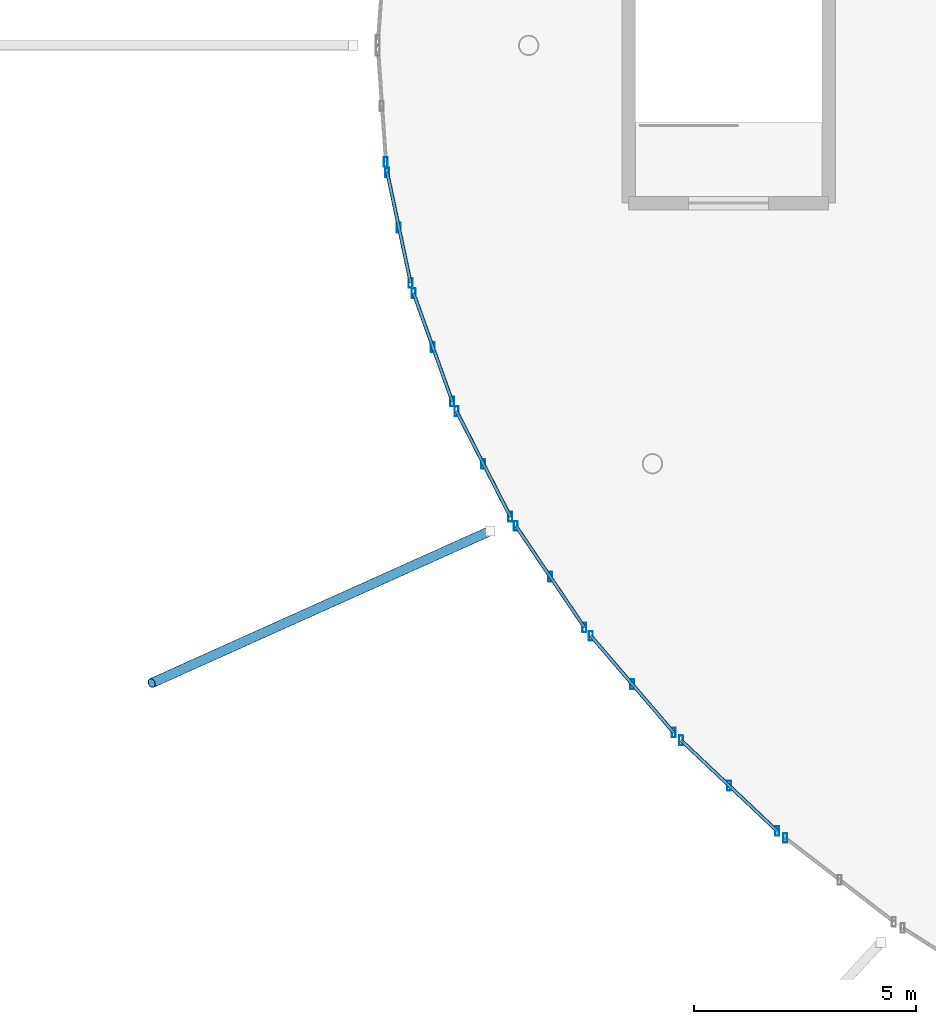
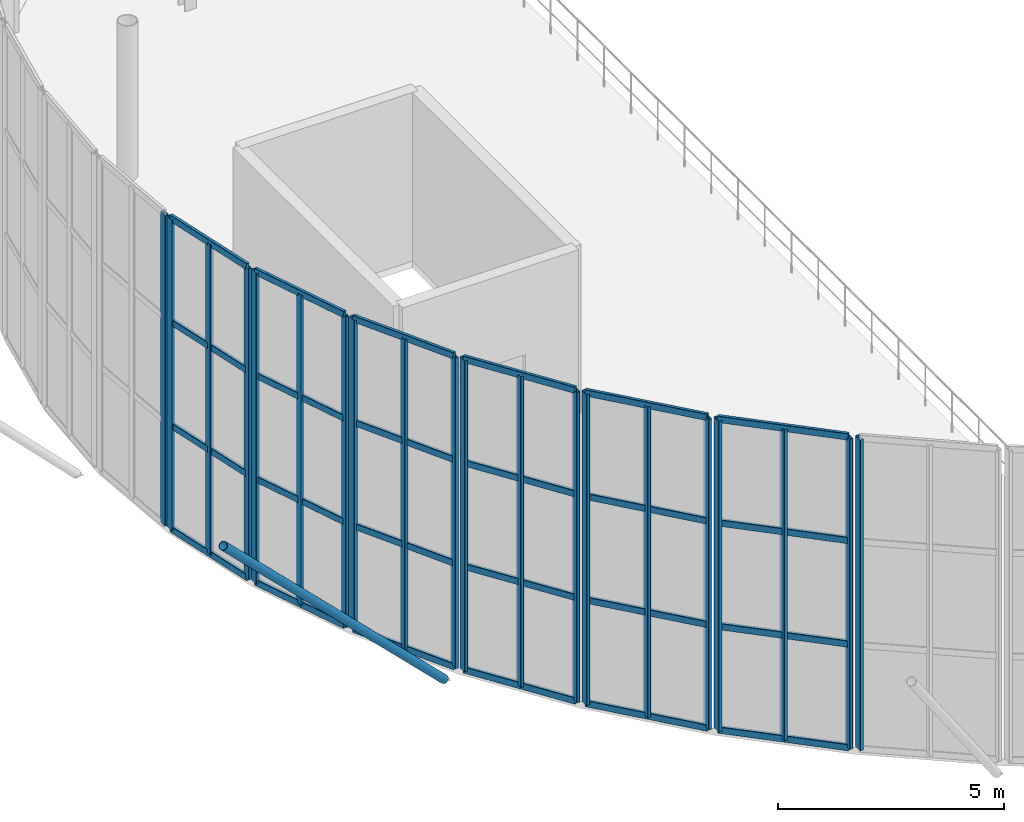
# One storey, part 23 of 109: 45 members, 8 elements without a shape of their own.
"""IFC4 building model written with IfcOpenShell, lengths in metres."""

from ifc_helpers import new_model, si_unit, derived_unit, direction, frame, origin, origin_2d, place, context, subcontext, project, spatial, hollow_rectangle, hollow_circle, extrude, material, material_profile, profile_set, type_object, element, aggregate, save


model = new_model("IFC4")

# Units and contexts
model_context = context("Model", 3, precision=1e-05, world=origin(), true_north=direction((0.0, 1.0)))
body_context = subcontext(model_context, "Body", "Model", "MODEL_VIEW")
ifc_project = project(units=[si_unit("LENGTHUNIT", "METRE"), si_unit("AREAUNIT", "SQUARE_METRE"), si_unit("VOLUMEUNIT", "CUBIC_METRE"), si_unit("PLANEANGLEUNIT", "RADIAN"), si_unit("MASSUNIT", "GRAM", prefix="KILO"), derived_unit("THERMALTRANSMITTANCEUNIT", [(si_unit("MASSUNIT", "GRAM", prefix="KILO"), 1), (si_unit("TIMEUNIT", "SECOND"), -3), (si_unit("THERMODYNAMICTEMPERATUREUNIT", "KELVIN"), -1)])], contexts=[model_context])

# Site, building, storey
site_placement = place(None, origin())
site = spatial("IfcSite", under=ifc_project, at=site_placement, CompositionType="ELEMENT")
building_placement = place(site_placement, origin())
building = spatial("IfcBuilding", under=site, at=building_placement, Name="Kharveza Railside Sports Centre", CompositionType="ELEMENT")
storey_placement = place(building_placement, frame((0.0, 0.0, 4.5)))
storey = spatial("IfcBuildingStorey", under=building, at=storey_placement, Name="L01", CompositionType="ELEMENT", Elevation=4.5)

# Curtain wall, member
ifc_material_1 = material(Name="Low-E solar-control laminated glass", Category="glass")
curtain_wall_type = type_object("IfcCurtainWallType", Name="CW-DR01", PredefinedType="NOTDEFINED", material=ifc_material_1)
curtain_wall_1_placement = place(storey_placement, origin())
curtain_wall_1 = element("IfcCurtainWall", 1, at=curtain_wall_1_placement, inside=storey, type_object=curtain_wall_type, Name="CW-DRUM-33", PredefinedType="NOTDEFINED")
ifc_material_2 = material(Name="Anodised aluminium 6063-T6", Category="aluminium")
ifc_material_profile_1 = material_profile(ifc_material_2, hollow_rectangle(XDim=0.090087890625, YDim=0.219970703125, WallThickness=0.008056640625, InnerFilletRadius=0.008056640625, OuterFilletRadius=0.01611328125, at=origin_2d()), Name="RHS 90x220x8.0")
ifc_profile_set_1 = profile_set([ifc_material_profile_1], Name="Anodised aluminium 6063-T6")
member_type_1 = type_object("IfcMemberType", Name="CW-ML01", PredefinedType="MULLION", material=ifc_profile_set_1)
member_1_placement = place(storey_placement, frame((14.7841796875, 47.775146484375, 0.0), z_axis=(0.0, 0.0, 1.0), x_axis=(1.0, 0.0, 0.0)))
member_1 = element("IfcMember", 2, at=member_1_placement, type_object=member_type_1, Name="CW-DRUM-33-ML3", PredefinedType="MULLION", context=body_context, shape_type="SweptSolid", body=[
    extrude(hollow_rectangle(XDim=0.090087890625, YDim=0.219970703125, WallThickness=0.008056640625, InnerFilletRadius=0.008056640625, OuterFilletRadius=0.01611328125, at=origin_2d()), origin(), (0.0, 0.0, 1.0), 8.39990234375),
])
aggregate(curtain_wall_1, [member_1])

# Curtain wall, members
curtain_wall_2_placement = place(storey_placement, origin())
curtain_wall_2 = element("IfcCurtainWall", 3, at=curtain_wall_2_placement, inside=storey, type_object=curtain_wall_type, Name="CW-DRUM-34", PredefinedType="NOTDEFINED")
member_2_placement = place(storey_placement, frame((14.8173828125, 47.5380859375, 0.0), z_axis=(0.0, 0.0, 1.0), x_axis=(1.0, 0.0, 0.0)))
member_2 = element("IfcMember", 4, at=member_2_placement, type_object=member_type_1, Name="CW-DRUM-34-ML1", PredefinedType="MULLION", context=body_context, shape_type="SweptSolid", body=[
    extrude(hollow_rectangle(XDim=0.090087890625, YDim=0.219970703125, WallThickness=0.008056640625, InnerFilletRadius=0.008056640625, OuterFilletRadius=0.01611328125, at=origin_2d()), origin(), (0.0, 0.0, 1.0), 8.39990234375),
])
member_3_placement = place(storey_placement, frame((15.08056640625, 46.29638671875, 0.0), z_axis=(0.0, 0.0, 1.0), x_axis=(1.0, 0.0, 0.0)))
member_3 = element("IfcMember", 5, at=member_3_placement, type_object=member_type_1, Name="CW-DRUM-34-ML2", PredefinedType="MULLION", context=body_context, shape_type="SweptSolid", body=[
    extrude(hollow_rectangle(XDim=0.090087890625, YDim=0.219970703125, WallThickness=0.008056640625, InnerFilletRadius=0.008056640625, OuterFilletRadius=0.01611328125, at=origin_2d()), origin(), (0.0, 0.0, 1.0), 8.39990234375),
])
member_4_placement = place(storey_placement, frame((15.34375, 45.054931640625, 0.0), z_axis=(0.0, 0.0, 1.0), x_axis=(1.0, 0.0, 0.0)))
member_4 = element("IfcMember", 6, at=member_4_placement, type_object=member_type_1, Name="CW-DRUM-34-ML3", PredefinedType="MULLION", context=body_context, shape_type="SweptSolid", body=[
    extrude(hollow_rectangle(XDim=0.090087890625, YDim=0.219970703125, WallThickness=0.008056640625, InnerFilletRadius=0.008056640625, OuterFilletRadius=0.01611328125, at=origin_2d()), origin(), (0.0, 0.0, 1.0), 8.39990234375),
])

curtain_wall_3_placement = place(storey_placement, origin())
curtain_wall_3 = element("IfcCurtainWall", 7, at=curtain_wall_3_placement, inside=storey, type_object=curtain_wall_type, Name="CW-DRUM-35", PredefinedType="NOTDEFINED")
member_5_placement = place(storey_placement, frame((15.408935546875, 44.824462890625, 0.0), z_axis=(0.0, 0.0, 1.0), x_axis=(1.0, 0.0, 0.0)))
member_5 = element("IfcMember", 8, at=member_5_placement, type_object=member_type_1, Name="CW-DRUM-35-ML1", PredefinedType="MULLION", context=body_context, shape_type="SweptSolid", body=[
    extrude(hollow_rectangle(XDim=0.090087890625, YDim=0.219970703125, WallThickness=0.008056640625, InnerFilletRadius=0.008056640625, OuterFilletRadius=0.01611328125, at=origin_2d()), origin(), (0.0, 0.0, 1.0), 8.39990234375),
])
member_6_placement = place(storey_placement, frame((15.845458984375, 43.604736328125, 0.0), z_axis=(0.0, 0.0, 1.0), x_axis=(1.0, 0.0, 0.0)))
member_6 = element("IfcMember", 9, at=member_6_placement, type_object=member_type_1, Name="CW-DRUM-35-ML2", PredefinedType="MULLION", context=body_context, shape_type="SweptSolid", body=[
    extrude(hollow_rectangle(XDim=0.090087890625, YDim=0.219970703125, WallThickness=0.008056640625, InnerFilletRadius=0.008056640625, OuterFilletRadius=0.01611328125, at=origin_2d()), origin(), (0.0, 0.0, 1.0), 8.39990234375),
])
member_7_placement = place(storey_placement, frame((16.281982421875, 42.385009765625, 0.0), z_axis=(0.0, 0.0, 1.0), x_axis=(1.0, 0.0, 0.0)))
member_7 = element("IfcMember", 10, at=member_7_placement, type_object=member_type_1, Name="CW-DRUM-35-ML3", PredefinedType="MULLION", context=body_context, shape_type="SweptSolid", body=[
    extrude(hollow_rectangle(XDim=0.090087890625, YDim=0.219970703125, WallThickness=0.008056640625, InnerFilletRadius=0.008056640625, OuterFilletRadius=0.01611328125, at=origin_2d()), origin(), (0.0, 0.0, 1.0), 8.39990234375),
])

curtain_wall_4_placement = place(storey_placement, origin())
curtain_wall_4 = element("IfcCurtainWall", 11, at=curtain_wall_4_placement, inside=storey, type_object=curtain_wall_type, Name="CW-DRUM-36", PredefinedType="NOTDEFINED")
member_8_placement = place(storey_placement, frame((16.376953125, 42.165283203125, 0.0), z_axis=(0.0, 0.0, 1.0), x_axis=(1.0, 0.0, 0.0)))
member_8 = element("IfcMember", 12, at=member_8_placement, type_object=member_type_1, Name="CW-DRUM-36-ML1", PredefinedType="MULLION", context=body_context, shape_type="SweptSolid", body=[
    extrude(hollow_rectangle(XDim=0.090087890625, YDim=0.219970703125, WallThickness=0.008056640625, InnerFilletRadius=0.008056640625, OuterFilletRadius=0.01611328125, at=origin_2d()), origin(), (0.0, 0.0, 1.0), 8.39990234375),
])
member_9_placement = place(storey_placement, frame((16.983642578125, 40.978515625, 0.0), z_axis=(0.0, 0.0, 1.0), x_axis=(1.0, 0.0, 0.0)))
member_9 = element("IfcMember", 13, at=member_9_placement, type_object=member_type_1, Name="CW-DRUM-36-ML2", PredefinedType="MULLION", context=body_context, shape_type="SweptSolid", body=[
    extrude(hollow_rectangle(XDim=0.090087890625, YDim=0.219970703125, WallThickness=0.008056640625, InnerFilletRadius=0.008056640625, OuterFilletRadius=0.01611328125, at=origin_2d()), origin(), (0.0, 0.0, 1.0), 8.39990234375),
])
member_10_placement = place(storey_placement, frame((17.590087890625, 39.791748046875, 0.0), z_axis=(0.0, 0.0, 1.0), x_axis=(1.0, 0.0, 0.0)))
member_10 = element("IfcMember", 14, at=member_10_placement, type_object=member_type_1, Name="CW-DRUM-36-ML3", PredefinedType="MULLION", context=body_context, shape_type="SweptSolid", body=[
    extrude(hollow_rectangle(XDim=0.090087890625, YDim=0.219970703125, WallThickness=0.008056640625, InnerFilletRadius=0.008056640625, OuterFilletRadius=0.01611328125, at=origin_2d()), origin(), (0.0, 0.0, 1.0), 8.39990234375),
])

curtain_wall_5_placement = place(storey_placement, origin())
curtain_wall_5 = element("IfcCurtainWall", 15, at=curtain_wall_5_placement, inside=storey, type_object=curtain_wall_type, Name="CW-DRUM-37", PredefinedType="NOTDEFINED")
member_11_placement = place(storey_placement, frame((17.7119140625, 39.58544921875, 0.0), z_axis=(0.0, 0.0, 1.0), x_axis=(1.0, 0.0, 0.0)))
member_11 = element("IfcMember", 16, at=member_11_placement, type_object=member_type_1, Name="CW-DRUM-37-ML1", PredefinedType="MULLION", context=body_context, shape_type="SweptSolid", body=[
    extrude(hollow_rectangle(XDim=0.090087890625, YDim=0.219970703125, WallThickness=0.008056640625, InnerFilletRadius=0.008056640625, OuterFilletRadius=0.01611328125, at=origin_2d()), origin(), (0.0, 0.0, 1.0), 8.39990234375),
])
member_12_placement = place(storey_placement, frame((18.48388671875, 38.44287109375, 0.0), z_axis=(0.0, 0.0, 1.0), x_axis=(1.0, 0.0, 0.0)))
member_12 = element("IfcMember", 17, at=member_12_placement, type_object=member_type_1, Name="CW-DRUM-37-ML2", PredefinedType="MULLION", context=body_context, shape_type="SweptSolid", body=[
    extrude(hollow_rectangle(XDim=0.090087890625, YDim=0.219970703125, WallThickness=0.008056640625, InnerFilletRadius=0.008056640625, OuterFilletRadius=0.01611328125, at=origin_2d()), origin(), (0.0, 0.0, 1.0), 8.39990234375),
])
member_13_placement = place(storey_placement, frame((19.256103515625, 37.30029296875, 0.0), z_axis=(0.0, 0.0, 1.0), x_axis=(1.0, 0.0, 0.0)))
member_13 = element("IfcMember", 18, at=member_13_placement, type_object=member_type_1, Name="CW-DRUM-37-ML3", PredefinedType="MULLION", context=body_context, shape_type="SweptSolid", body=[
    extrude(hollow_rectangle(XDim=0.090087890625, YDim=0.219970703125, WallThickness=0.008056640625, InnerFilletRadius=0.008056640625, OuterFilletRadius=0.01611328125, at=origin_2d()), origin(), (0.0, 0.0, 1.0), 8.39990234375),
])

curtain_wall_6_placement = place(storey_placement, origin())
curtain_wall_6 = element("IfcCurtainWall", 19, at=curtain_wall_6_placement, inside=storey, type_object=curtain_wall_type, Name="CW-DRUM-38", PredefinedType="NOTDEFINED")
member_14_placement = place(storey_placement, frame((19.401123046875, 37.109619140625, 0.0), z_axis=(0.0, 0.0, 1.0), x_axis=(1.0, 0.0, 0.0)))
member_14 = element("IfcMember", 20, at=member_14_placement, type_object=member_type_1, Name="CW-DRUM-38-ML1", PredefinedType="MULLION", context=body_context, shape_type="SweptSolid", body=[
    extrude(hollow_rectangle(XDim=0.090087890625, YDim=0.219970703125, WallThickness=0.008056640625, InnerFilletRadius=0.008056640625, OuterFilletRadius=0.01611328125, at=origin_2d()), origin(), (0.0, 0.0, 1.0), 8.39990234375),
])
member_15_placement = place(storey_placement, frame((20.332275390625, 36.0224609375, 0.0), z_axis=(0.0, 0.0, 1.0), x_axis=(1.0, 0.0, 0.0)))
member_15 = element("IfcMember", 21, at=member_15_placement, type_object=member_type_1, Name="CW-DRUM-38-ML2", PredefinedType="MULLION", context=body_context, shape_type="SweptSolid", body=[
    extrude(hollow_rectangle(XDim=0.090087890625, YDim=0.219970703125, WallThickness=0.008056640625, InnerFilletRadius=0.008056640625, OuterFilletRadius=0.01611328125, at=origin_2d()), origin(), (0.0, 0.0, 1.0), 8.39990234375),
])
member_16_placement = place(storey_placement, frame((21.26318359375, 34.935302734375, 0.0), z_axis=(0.0, 0.0, 1.0), x_axis=(1.0, 0.0, 0.0)))
member_16 = element("IfcMember", 22, at=member_16_placement, type_object=member_type_1, Name="CW-DRUM-38-ML3", PredefinedType="MULLION", context=body_context, shape_type="SweptSolid", body=[
    extrude(hollow_rectangle(XDim=0.090087890625, YDim=0.219970703125, WallThickness=0.008056640625, InnerFilletRadius=0.008056640625, OuterFilletRadius=0.01611328125, at=origin_2d()), origin(), (0.0, 0.0, 1.0), 8.39990234375),
])

curtain_wall_7_placement = place(storey_placement, origin())
curtain_wall_7 = element("IfcCurtainWall", 23, at=curtain_wall_7_placement, inside=storey, type_object=curtain_wall_type, Name="CW-DRUM-39", PredefinedType="NOTDEFINED")
member_17_placement = place(storey_placement, frame((21.428466796875, 34.76171875, 0.0), z_axis=(0.0, 0.0, 1.0), x_axis=(1.0, 0.0, 0.0)))
member_17 = element("IfcMember", 24, at=member_17_placement, type_object=member_type_1, Name="CW-DRUM-39-ML1", PredefinedType="MULLION", context=body_context, shape_type="SweptSolid", body=[
    extrude(hollow_rectangle(XDim=0.090087890625, YDim=0.219970703125, WallThickness=0.008056640625, InnerFilletRadius=0.008056640625, OuterFilletRadius=0.01611328125, at=origin_2d()), origin(), (0.0, 0.0, 1.0), 8.39990234375),
])
member_18_placement = place(storey_placement, frame((22.510498046875, 33.740478515625, 0.0), z_axis=(0.0, 0.0, 1.0), x_axis=(1.0, 0.0, 0.0)))
member_18 = element("IfcMember", 25, at=member_18_placement, type_object=member_type_1, Name="CW-DRUM-39-ML2", PredefinedType="MULLION", context=body_context, shape_type="SweptSolid", body=[
    extrude(hollow_rectangle(XDim=0.090087890625, YDim=0.219970703125, WallThickness=0.008056640625, InnerFilletRadius=0.008056640625, OuterFilletRadius=0.01611328125, at=origin_2d()), origin(), (0.0, 0.0, 1.0), 8.39990234375),
])
member_19_placement = place(storey_placement, frame((23.59228515625, 32.719482421875, 0.0), z_axis=(0.0, 0.0, 1.0), x_axis=(1.0, 0.0, 0.0)))
member_19 = element("IfcMember", 26, at=member_19_placement, type_object=member_type_1, Name="CW-DRUM-39-ML3", PredefinedType="MULLION", context=body_context, shape_type="SweptSolid", body=[
    extrude(hollow_rectangle(XDim=0.090087890625, YDim=0.219970703125, WallThickness=0.008056640625, InnerFilletRadius=0.008056640625, OuterFilletRadius=0.01611328125, at=origin_2d()), origin(), (0.0, 0.0, 1.0), 8.39990234375),
])

# Curtain wall, member
curtain_wall_8_placement = place(storey_placement, origin())
curtain_wall_8 = element("IfcCurtainWall", 27, at=curtain_wall_8_placement, inside=storey, type_object=curtain_wall_type, Name="CW-DRUM-40", PredefinedType="NOTDEFINED")
member_20_placement = place(storey_placement, frame((23.774658203125, 32.563720703125, 0.0), z_axis=(0.0, 0.0, 1.0), x_axis=(1.0, 0.0, 0.0)))
member_20 = element("IfcMember", 28, at=member_20_placement, type_object=member_type_1, Name="CW-DRUM-40-ML1", PredefinedType="MULLION", context=body_context, shape_type="SweptSolid", body=[
    extrude(hollow_rectangle(XDim=0.090087890625, YDim=0.219970703125, WallThickness=0.008056640625, InnerFilletRadius=0.008056640625, OuterFilletRadius=0.01611328125, at=origin_2d()), origin(), (0.0, 0.0, 1.0), 8.39990234375),
])
aggregate(curtain_wall_8, [member_20])

# Member
ifc_material_profile_2 = material_profile(ifc_material_2, hollow_rectangle(XDim=0.080078125, YDim=0.179931640625, WallThickness=0.00634765625, InnerFilletRadius=0.00634765625, OuterFilletRadius=0.0126953125, at=origin_2d()), Name="RHS 80x180x6.3")
ifc_profile_set_2 = profile_set([ifc_material_profile_2], Name="Anodised aluminium 6063-T6")
member_type_2 = type_object("IfcMemberType", Name="CW-TR01", PredefinedType="USERDEFINED", material=ifc_profile_set_2)
member_21_placement = place(storey_placement, frame((14.8173828125, 47.5380859375, 0.0), z_axis=(0.207367540552, -0.978263105266, 0.0), x_axis=(0.978263105266, 0.207367540552, 0.0)))
member_21 = element("IfcMember", 29, at=member_21_placement, type_object=member_type_2, Name="CW-DRUM-34-TR1", ObjectType="TRANSOM", PredefinedType="USERDEFINED", context=body_context, shape_type="SweptSolid", body=[
    extrude(hollow_rectangle(XDim=0.080078125, YDim=0.179931640625, WallThickness=0.00634765625, InnerFilletRadius=0.00634765625, OuterFilletRadius=0.0126953125, at=origin_2d()), origin(), (0.0, 0.0, 1.0), 2.538330078125),
])

member_22_placement = place(storey_placement, frame((14.8173828125, 47.5380859375, 2.800048828125), z_axis=(0.207367540552, -0.978263105266, 0.0), x_axis=(0.978263105266, 0.207367540552, 0.0)))
member_22 = element("IfcMember", 30, at=member_22_placement, type_object=member_type_2, Name="CW-DRUM-34-TR2", ObjectType="TRANSOM", PredefinedType="USERDEFINED", context=body_context, shape_type="SweptSolid", body=[
    extrude(hollow_rectangle(XDim=0.080078125, YDim=0.179931640625, WallThickness=0.00634765625, InnerFilletRadius=0.00634765625, OuterFilletRadius=0.0126953125, at=origin_2d()), origin(), (0.0, 0.0, 1.0), 2.538330078125),
])

member_23_placement = place(storey_placement, frame((14.8173828125, 47.5380859375, 5.60009765625), z_axis=(0.207367540552, -0.978263105266, 0.0), x_axis=(0.978263105266, 0.207367540552, 0.0)))
member_23 = element("IfcMember", 31, at=member_23_placement, type_object=member_type_2, Name="CW-DRUM-34-TR3", ObjectType="TRANSOM", PredefinedType="USERDEFINED", context=body_context, shape_type="SweptSolid", body=[
    extrude(hollow_rectangle(XDim=0.080078125, YDim=0.179931640625, WallThickness=0.00634765625, InnerFilletRadius=0.00634765625, OuterFilletRadius=0.0126953125, at=origin_2d()), origin(), (0.0, 0.0, 1.0), 2.538330078125),
])

member_24_placement = place(storey_placement, frame((14.8173828125, 47.5380859375, 8.39990234375), z_axis=(0.207367540552, -0.978263105266, 0.0), x_axis=(0.978263105266, 0.207367540552, 0.0)))
member_24 = element("IfcMember", 32, at=member_24_placement, type_object=member_type_2, Name="CW-DRUM-34-TR4", ObjectType="TRANSOM", PredefinedType="USERDEFINED", context=body_context, shape_type="SweptSolid", body=[
    extrude(hollow_rectangle(XDim=0.080078125, YDim=0.179931640625, WallThickness=0.00634765625, InnerFilletRadius=0.00634765625, OuterFilletRadius=0.0126953125, at=origin_2d()), origin(), (0.0, 0.0, 1.0), 2.538330078125),
])

aggregate(curtain_wall_2, [member_2, member_3, member_4, member_21, member_22, member_23, member_24])

member_25_placement = place(storey_placement, frame((15.408935546875, 44.824462890625, 0.0), z_axis=(0.336957116083, -0.941519995497, 0.0), x_axis=(0.941519995497, 0.336957116083, 0.0)))
member_25 = element("IfcMember", 33, at=member_25_placement, type_object=member_type_2, Name="CW-DRUM-35-TR1", ObjectType="TRANSOM", PredefinedType="USERDEFINED", context=body_context, shape_type="SweptSolid", body=[
    extrude(hollow_rectangle(XDim=0.080078125, YDim=0.179931640625, WallThickness=0.00634765625, InnerFilletRadius=0.00634765625, OuterFilletRadius=0.0126953125, at=origin_2d()), origin(), (0.0, 0.0, 1.0), 2.591064453125),
])

member_26_placement = place(storey_placement, frame((15.408935546875, 44.824462890625, 2.800048828125), z_axis=(0.336957116083, -0.941519995497, 0.0), x_axis=(0.941519995497, 0.336957116083, 0.0)))
member_26 = element("IfcMember", 34, at=member_26_placement, type_object=member_type_2, Name="CW-DRUM-35-TR2", ObjectType="TRANSOM", PredefinedType="USERDEFINED", context=body_context, shape_type="SweptSolid", body=[
    extrude(hollow_rectangle(XDim=0.080078125, YDim=0.179931640625, WallThickness=0.00634765625, InnerFilletRadius=0.00634765625, OuterFilletRadius=0.0126953125, at=origin_2d()), origin(), (0.0, 0.0, 1.0), 2.591064453125),
])

member_27_placement = place(storey_placement, frame((15.408935546875, 44.824462890625, 5.60009765625), z_axis=(0.336957116083, -0.941519995497, 0.0), x_axis=(0.941519995497, 0.336957116083, 0.0)))
member_27 = element("IfcMember", 35, at=member_27_placement, type_object=member_type_2, Name="CW-DRUM-35-TR3", ObjectType="TRANSOM", PredefinedType="USERDEFINED", context=body_context, shape_type="SweptSolid", body=[
    extrude(hollow_rectangle(XDim=0.080078125, YDim=0.179931640625, WallThickness=0.00634765625, InnerFilletRadius=0.00634765625, OuterFilletRadius=0.0126953125, at=origin_2d()), origin(), (0.0, 0.0, 1.0), 2.591064453125),
])

member_28_placement = place(storey_placement, frame((15.408935546875, 44.824462890625, 8.39990234375), z_axis=(0.336957116083, -0.941519995497, 0.0), x_axis=(0.941519995497, 0.336957116083, 0.0)))
member_28 = element("IfcMember", 36, at=member_28_placement, type_object=member_type_2, Name="CW-DRUM-35-TR4", ObjectType="TRANSOM", PredefinedType="USERDEFINED", context=body_context, shape_type="SweptSolid", body=[
    extrude(hollow_rectangle(XDim=0.080078125, YDim=0.179931640625, WallThickness=0.00634765625, InnerFilletRadius=0.00634765625, OuterFilletRadius=0.0126953125, at=origin_2d()), origin(), (0.0, 0.0, 1.0), 2.591064453125),
])

aggregate(curtain_wall_3, [member_5, member_6, member_7, member_25, member_26, member_27, member_28])

member_29_placement = place(storey_placement, frame((16.376953125, 42.165283203125, 0.0), z_axis=(0.45510944603, -0.890435507004, 0.0), x_axis=(0.890435507004, 0.45510944603, 0.0)))
member_29 = element("IfcMember", 37, at=member_29_placement, type_object=member_type_2, Name="CW-DRUM-36-TR1", ObjectType="TRANSOM", PredefinedType="USERDEFINED", context=body_context, shape_type="SweptSolid", body=[
    extrude(hollow_rectangle(XDim=0.080078125, YDim=0.179931640625, WallThickness=0.00634765625, InnerFilletRadius=0.00634765625, OuterFilletRadius=0.0126953125, at=origin_2d()), origin(), (0.0, 0.0, 1.0), 2.66552734375),
])

member_30_placement = place(storey_placement, frame((16.376953125, 42.165283203125, 2.800048828125), z_axis=(0.45510944603, -0.890435507004, 0.0), x_axis=(0.890435507004, 0.45510944603, 0.0)))
member_30 = element("IfcMember", 38, at=member_30_placement, type_object=member_type_2, Name="CW-DRUM-36-TR2", ObjectType="TRANSOM", PredefinedType="USERDEFINED", context=body_context, shape_type="SweptSolid", body=[
    extrude(hollow_rectangle(XDim=0.080078125, YDim=0.179931640625, WallThickness=0.00634765625, InnerFilletRadius=0.00634765625, OuterFilletRadius=0.0126953125, at=origin_2d()), origin(), (0.0, 0.0, 1.0), 2.66552734375),
])

member_31_placement = place(storey_placement, frame((16.376953125, 42.165283203125, 5.60009765625), z_axis=(0.45510944603, -0.890435507004, 0.0), x_axis=(0.890435507004, 0.45510944603, 0.0)))
member_31 = element("IfcMember", 39, at=member_31_placement, type_object=member_type_2, Name="CW-DRUM-36-TR3", ObjectType="TRANSOM", PredefinedType="USERDEFINED", context=body_context, shape_type="SweptSolid", body=[
    extrude(hollow_rectangle(XDim=0.080078125, YDim=0.179931640625, WallThickness=0.00634765625, InnerFilletRadius=0.00634765625, OuterFilletRadius=0.0126953125, at=origin_2d()), origin(), (0.0, 0.0, 1.0), 2.66552734375),
])

member_32_placement = place(storey_placement, frame((16.376953125, 42.165283203125, 8.39990234375), z_axis=(0.45510944603, -0.890435507004, 0.0), x_axis=(0.890435507004, 0.45510944603, 0.0)))
member_32 = element("IfcMember", 40, at=member_32_placement, type_object=member_type_2, Name="CW-DRUM-36-TR4", ObjectType="TRANSOM", PredefinedType="USERDEFINED", context=body_context, shape_type="SweptSolid", body=[
    extrude(hollow_rectangle(XDim=0.080078125, YDim=0.179931640625, WallThickness=0.00634765625, InnerFilletRadius=0.00634765625, OuterFilletRadius=0.0126953125, at=origin_2d()), origin(), (0.0, 0.0, 1.0), 2.66552734375),
])

aggregate(curtain_wall_4, [member_8, member_9, member_10, member_29, member_30, member_31, member_32])

member_33_placement = place(storey_placement, frame((17.7119140625, 39.58544921875, 0.0), z_axis=(0.559898474976, -0.828561221467, 0.0), x_axis=(0.828561221467, 0.559898474976, 0.0)))
member_33 = element("IfcMember", 41, at=member_33_placement, type_object=member_type_2, Name="CW-DRUM-37-TR1", ObjectType="TRANSOM", PredefinedType="USERDEFINED", context=body_context, shape_type="SweptSolid", body=[
    extrude(hollow_rectangle(XDim=0.080078125, YDim=0.179931640625, WallThickness=0.00634765625, InnerFilletRadius=0.00634765625, OuterFilletRadius=0.0126953125, at=origin_2d()), origin(), (0.0, 0.0, 1.0), 2.758056640625),
])

member_34_placement = place(storey_placement, frame((17.7119140625, 39.58544921875, 2.800048828125), z_axis=(0.559898474976, -0.828561221467, 0.0), x_axis=(0.828561221467, 0.559898474976, 0.0)))
member_34 = element("IfcMember", 42, at=member_34_placement, type_object=member_type_2, Name="CW-DRUM-37-TR2", ObjectType="TRANSOM", PredefinedType="USERDEFINED", context=body_context, shape_type="SweptSolid", body=[
    extrude(hollow_rectangle(XDim=0.080078125, YDim=0.179931640625, WallThickness=0.00634765625, InnerFilletRadius=0.00634765625, OuterFilletRadius=0.0126953125, at=origin_2d()), origin(), (0.0, 0.0, 1.0), 2.758056640625),
])

member_35_placement = place(storey_placement, frame((17.7119140625, 39.58544921875, 5.60009765625), z_axis=(0.559898474976, -0.828561221467, 0.0), x_axis=(0.828561221467, 0.559898474976, 0.0)))
member_35 = element("IfcMember", 43, at=member_35_placement, type_object=member_type_2, Name="CW-DRUM-37-TR3", ObjectType="TRANSOM", PredefinedType="USERDEFINED", context=body_context, shape_type="SweptSolid", body=[
    extrude(hollow_rectangle(XDim=0.080078125, YDim=0.179931640625, WallThickness=0.00634765625, InnerFilletRadius=0.00634765625, OuterFilletRadius=0.0126953125, at=origin_2d()), origin(), (0.0, 0.0, 1.0), 2.758056640625),
])

member_36_placement = place(storey_placement, frame((17.7119140625, 39.58544921875, 8.39990234375), z_axis=(0.559898474976, -0.828561221467, 0.0), x_axis=(0.828561221467, 0.559898474976, 0.0)))
member_36 = element("IfcMember", 44, at=member_36_placement, type_object=member_type_2, Name="CW-DRUM-37-TR4", ObjectType="TRANSOM", PredefinedType="USERDEFINED", context=body_context, shape_type="SweptSolid", body=[
    extrude(hollow_rectangle(XDim=0.080078125, YDim=0.179931640625, WallThickness=0.00634765625, InnerFilletRadius=0.00634765625, OuterFilletRadius=0.0126953125, at=origin_2d()), origin(), (0.0, 0.0, 1.0), 2.758056640625),
])

aggregate(curtain_wall_5, [member_11, member_12, member_13, member_33, member_34, member_35, member_36])

member_37_placement = place(storey_placement, frame((19.401123046875, 37.109619140625, 0.0), z_axis=(0.650461212629, -0.759539472882, 0.0), x_axis=(0.759539472882, 0.650461212629, 0.0)))
member_37 = element("IfcMember", 45, at=member_37_placement, type_object=member_type_2, Name="CW-DRUM-38-TR1", ObjectType="TRANSOM", PredefinedType="USERDEFINED", context=body_context, shape_type="SweptSolid", body=[
    extrude(hollow_rectangle(XDim=0.080078125, YDim=0.179931640625, WallThickness=0.00634765625, InnerFilletRadius=0.00634765625, OuterFilletRadius=0.0126953125, at=origin_2d()), origin(), (0.0, 0.0, 1.0), 2.86279296875),
])

member_38_placement = place(storey_placement, frame((19.401123046875, 37.109619140625, 2.800048828125), z_axis=(0.650461212629, -0.759539472882, 0.0), x_axis=(0.759539472882, 0.650461212629, 0.0)))
member_38 = element("IfcMember", 46, at=member_38_placement, type_object=member_type_2, Name="CW-DRUM-38-TR2", ObjectType="TRANSOM", PredefinedType="USERDEFINED", context=body_context, shape_type="SweptSolid", body=[
    extrude(hollow_rectangle(XDim=0.080078125, YDim=0.179931640625, WallThickness=0.00634765625, InnerFilletRadius=0.00634765625, OuterFilletRadius=0.0126953125, at=origin_2d()), origin(), (0.0, 0.0, 1.0), 2.86279296875),
])

member_39_placement = place(storey_placement, frame((19.401123046875, 37.109619140625, 5.60009765625), z_axis=(0.650461212629, -0.759539472882, 0.0), x_axis=(0.759539472882, 0.650461212629, 0.0)))
member_39 = element("IfcMember", 47, at=member_39_placement, type_object=member_type_2, Name="CW-DRUM-38-TR3", ObjectType="TRANSOM", PredefinedType="USERDEFINED", context=body_context, shape_type="SweptSolid", body=[
    extrude(hollow_rectangle(XDim=0.080078125, YDim=0.179931640625, WallThickness=0.00634765625, InnerFilletRadius=0.00634765625, OuterFilletRadius=0.0126953125, at=origin_2d()), origin(), (0.0, 0.0, 1.0), 2.86279296875),
])

member_40_placement = place(storey_placement, frame((19.401123046875, 37.109619140625, 8.39990234375), z_axis=(0.650461212629, -0.759539472882, 0.0), x_axis=(0.759539472882, 0.650461212629, 0.0)))
member_40 = element("IfcMember", 48, at=member_40_placement, type_object=member_type_2, Name="CW-DRUM-38-TR4", ObjectType="TRANSOM", PredefinedType="USERDEFINED", context=body_context, shape_type="SweptSolid", body=[
    extrude(hollow_rectangle(XDim=0.080078125, YDim=0.179931640625, WallThickness=0.00634765625, InnerFilletRadius=0.00634765625, OuterFilletRadius=0.0126953125, at=origin_2d()), origin(), (0.0, 0.0, 1.0), 2.86279296875),
])

aggregate(curtain_wall_6, [member_14, member_15, member_16, member_37, member_38, member_39, member_40])

member_41_placement = place(storey_placement, frame((21.428466796875, 34.76171875, 0.0), z_axis=(0.727242942811, -0.686380144039, 0.0), x_axis=(0.686380144039, 0.727242942811, 0.0)))
member_41 = element("IfcMember", 49, at=member_41_placement, type_object=member_type_2, Name="CW-DRUM-39-TR1", ObjectType="TRANSOM", PredefinedType="USERDEFINED", context=body_context, shape_type="SweptSolid", body=[
    extrude(hollow_rectangle(XDim=0.080078125, YDim=0.179931640625, WallThickness=0.00634765625, InnerFilletRadius=0.00634765625, OuterFilletRadius=0.0126953125, at=origin_2d()), origin(), (0.0, 0.0, 1.0), 2.975341796875),
])

member_42_placement = place(storey_placement, frame((21.428466796875, 34.76171875, 2.800048828125), z_axis=(0.727242942811, -0.686380144039, 0.0), x_axis=(0.686380144039, 0.727242942811, 0.0)))
member_42 = element("IfcMember", 50, at=member_42_placement, type_object=member_type_2, Name="CW-DRUM-39-TR2", ObjectType="TRANSOM", PredefinedType="USERDEFINED", context=body_context, shape_type="SweptSolid", body=[
    extrude(hollow_rectangle(XDim=0.080078125, YDim=0.179931640625, WallThickness=0.00634765625, InnerFilletRadius=0.00634765625, OuterFilletRadius=0.0126953125, at=origin_2d()), origin(), (0.0, 0.0, 1.0), 2.975341796875),
])

member_43_placement = place(storey_placement, frame((21.428466796875, 34.76171875, 5.60009765625), z_axis=(0.727242942811, -0.686380144039, 0.0), x_axis=(0.686380144039, 0.727242942811, 0.0)))
member_43 = element("IfcMember", 51, at=member_43_placement, type_object=member_type_2, Name="CW-DRUM-39-TR3", ObjectType="TRANSOM", PredefinedType="USERDEFINED", context=body_context, shape_type="SweptSolid", body=[
    extrude(hollow_rectangle(XDim=0.080078125, YDim=0.179931640625, WallThickness=0.00634765625, InnerFilletRadius=0.00634765625, OuterFilletRadius=0.0126953125, at=origin_2d()), origin(), (0.0, 0.0, 1.0), 2.975341796875),
])

member_44_placement = place(storey_placement, frame((21.428466796875, 34.76171875, 8.39990234375), z_axis=(0.727242942811, -0.686380144039, 0.0), x_axis=(0.686380144039, 0.727242942811, 0.0)))
member_44 = element("IfcMember", 52, at=member_44_placement, type_object=member_type_2, Name="CW-DRUM-39-TR4", ObjectType="TRANSOM", PredefinedType="USERDEFINED", context=body_context, shape_type="SweptSolid", body=[
    extrude(hollow_rectangle(XDim=0.080078125, YDim=0.179931640625, WallThickness=0.00634765625, InnerFilletRadius=0.00634765625, OuterFilletRadius=0.0126953125, at=origin_2d()), origin(), (0.0, 0.0, 1.0), 2.975341796875),
])

aggregate(curtain_wall_7, [member_17, member_18, member_19, member_41, member_42, member_43, member_44])

ifc_material_3 = material(Name="Steel S355J2", Category="steel")
ifc_material_profile_3 = material_profile(ifc_material_3, hollow_circle(Radius=0.109619140625, WallThickness=0.012451171875, at=origin_2d()), Name="CHS 219.1x12.5")
ifc_profile_set_3 = profile_set([ifc_material_profile_3], Name="Steel S355J2")
member_type_3 = type_object("IfcMemberType", Name="MB-ST01", PredefinedType="STRUT", material=ifc_profile_set_3)
member_45_placement = place(storey_placement, frame((17.13671875, 39.474365234375, 0.0), z_axis=(-0.645217892711, -0.289934715466, 0.706846328203), x_axis=(0.409878689268, -0.912140044118, 0.0)))
element("IfcMember", 53, at=member_45_placement, inside=storey, type_object=member_type_3, Name="MB-RAKER-LID-10", PredefinedType="STRUT", context=body_context, shape_type="SweptSolid", body=[
    extrude(hollow_circle(Radius=0.109619140625, WallThickness=0.012451171875, at=origin_2d()), origin(), (0.0, 0.0, 1.0), 11.813232421875),
])

save(model, "model.ifc")
